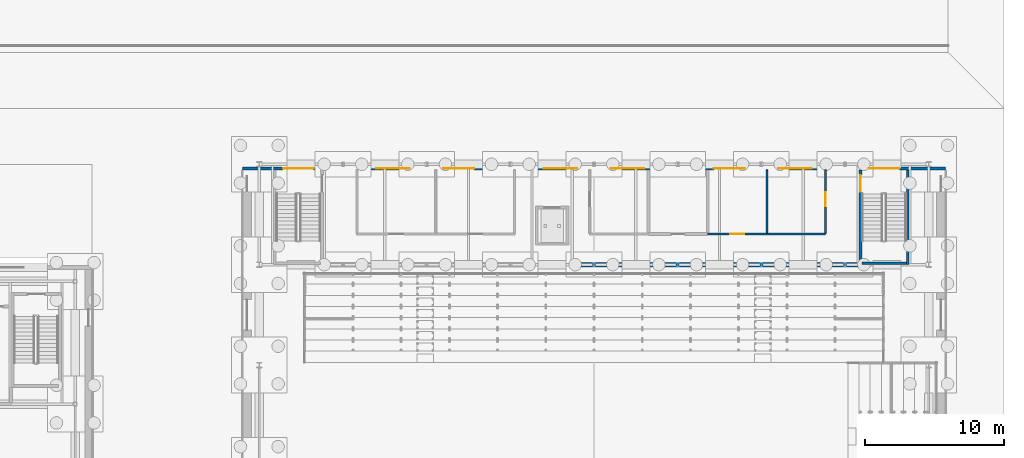
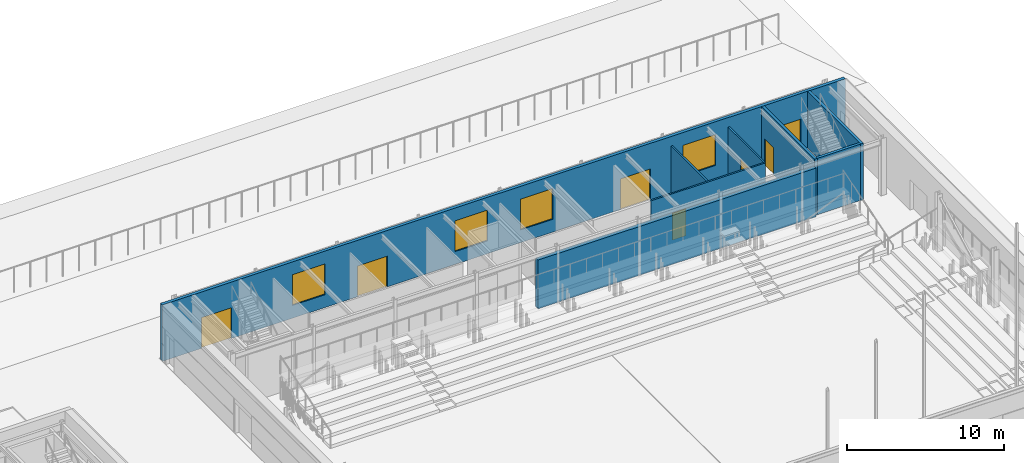
# One storey, part 90 of 139: 8 walls, 7 doors, 4 windows, 11 openings.
"""IFC4 building model written with IfcOpenShell, lengths in metres."""

from ifc_helpers import new_model, si_unit, direction, frame, frame_2d, origin, place, context, subcontext, project, spatial, rectangle, extrude, material, layer, layer_set, type_object, element, fill, save


model = new_model("IFC4")

# Units and contexts
model_context = context("Model", 3, precision=1e-05, world=origin(), true_north=direction((0.0, 1.0)))
body_context = subcontext(model_context, "Body", "Model", "MODEL_VIEW")
ifc_project = project(units=[si_unit("LENGTHUNIT", "METRE"), si_unit("AREAUNIT", "SQUARE_METRE"), si_unit("VOLUMEUNIT", "CUBIC_METRE"), si_unit("PLANEANGLEUNIT", "RADIAN"), si_unit("MASSUNIT", "GRAM", prefix="KILO")], contexts=[model_context])

# Site, building, storey
site_placement = place(None, origin())
site = spatial("IfcSite", under=ifc_project, at=site_placement, CompositionType="ELEMENT")
building_placement = place(site_placement, origin())
building = spatial("IfcBuilding", under=site, at=building_placement, Name="Verrick Yard Athletic Hall", CompositionType="ELEMENT")
storey_placement = place(building_placement, origin())
storey = spatial("IfcBuildingStorey", under=building, at=storey_placement, Name="L00", CompositionType="ELEMENT", Elevation=0.0)

# Wall, opening, door
ifc_material_1 = material(Name="Concrete 35 MPa", Category="concrete")
ifc_layer_1 = layer(ifc_material_1, 0.199951171875)
ifc_layer_set_1 = layer_set([ifc_layer_1], Name="Enclosure wall CR200")
wall_type_1 = type_object("IfcWallType", Name="Enclosure wall CR200", PredefinedType="SOLIDWALL", material=ifc_layer_set_1)
wall_1_placement = place(storey_placement, frame((164.699951171875, 100.800048828125, 0.0), z_axis=(0.0, 0.0, 1.0), x_axis=(0.0, 1.0, 0.0)))
wall_1 = element("IfcWall", 1, at=wall_1_placement, inside=storey, type_object=wall_type_1, Name="CORE-HA-E-WW-L00", PredefinedType="SOLIDWALL", context=body_context, shape_type="SweptSolid", body=[
    extrude(rectangle(XDim=6.782958984375, YDim=0.199951171875, at=frame_2d((3.3916015625, 0.0))), origin(), (0.0, 0.0, 1.0), 4.39990234375),
])
opening_1_placement = place(wall_1_placement, frame((5.22509765625, 0.0, 0.0)))
opening_1 = element("IfcOpeningElement", 2, at=opening_1_placement, cuts=wall_1, Name="Opening SD1", PredefinedType="OPENING", context=body_context, shape_type="SweptSolid", body=[
    extrude(rectangle(XDim=1.199951171875, YDim=2.10009765625, at=frame_2d((0.60009765625, 1.050048828125))), frame((0.0, 0.10986328125, 0.0), z_axis=(0.0, -1.0, 0.0), x_axis=(1.0, 0.0, 0.0)), (0.0, 0.0, 1.0), 0.219970703125),
])
ifc_material_2 = material(Name="Hollow metal door leaf")
door_type_1 = type_object("IfcDoorType", Name="Core door SD1 1200x2100", OperationType="NOTDEFINED", PredefinedType="DOOR", material=ifc_material_2)
door_1_placement = place(opening_1_placement, origin())
door_1 = element("IfcDoor", 3, at=door_1_placement, inside=storey, type_object=door_type_1, Name="CORE-HA-E-WW-L00-DSD1-10662", OperationType="SINGLE_SWING_RIGHT", OverallHeight=2.10009765625, OverallWidth=1.199951171875, PredefinedType="DOOR", context=body_context, shape_type="SweptSolid", body=[
    extrude(rectangle(XDim=1.199951171875, YDim=2.10009765625, at=frame_2d((0.60009765625, 1.050048828125))), frame((0.0, 0.02490234375, 0.0), z_axis=(0.0, -1.0, 0.0), x_axis=(1.0, 0.0, 0.0)), (0.0, 0.0, 1.0), 0.050048828125),
])
fill(opening_1, door_1)

# Walls
wall_2_placement = place(storey_placement, frame((168.10009765625, 100.800048828125, 0.0), z_axis=(0.0, 0.0, 1.0), x_axis=(0.0, 1.0, 0.0)))
element("IfcWall", 4, at=wall_2_placement, inside=storey, type_object=wall_type_1, Name="CORE-HA-E-WE-L00", PredefinedType="SOLIDWALL", context=body_context, shape_type="SweptSolid", body=[
    extrude(rectangle(XDim=6.782958984375, YDim=0.199951171875, at=frame_2d((3.3916015625, 0.0))), origin(), (0.0, 0.0, 1.0), 4.39990234375),
])
wall_3_placement = place(storey_placement, frame((164.800048828125, 100.89990234375, 0.0), z_axis=(0.0, 0.0, 1.0), x_axis=(1.0, 0.0, 0.0)))
element("IfcWall", 5, at=wall_3_placement, inside=storey, type_object=wall_type_1, Name="CORE-HA-E-WS-L00", PredefinedType="SOLIDWALL", context=body_context, shape_type="SweptSolid", body=[
    extrude(rectangle(XDim=3.199951171875, YDim=0.199951171875, at=frame_2d((1.60009765625, 0.0))), origin(), (0.0, 0.0, 1.0), 4.39990234375),
])

# Wall, openings, doors, windows
ifc_material_3 = material(Name="Tyndall-stone-look precast cladding", Category="masonry")
ifc_layer_2 = layer(ifc_material_3, 0.0625, Name="Tyndall-stone-look precast cladding")
ifc_material_4 = material(Name="Mineral wool insulation")
ifc_layer_3 = layer(ifc_material_4, 0.0625, Name="Mineral wool insulation")
ifc_layer_4 = layer(ifc_material_1, 0.25, Name="Concrete 35 MPa")
ifc_layer_set_2 = layer_set([ifc_layer_2, ifc_layer_3, ifc_layer_4], Name="Gable base wall")
wall_type_2 = type_object("IfcWallType", Name="Gable base wall", PredefinedType="SOLIDWALL", material=ifc_layer_set_2)
wall_4_placement = place(storey_placement, frame((120.39990234375, 107.69873046875, 0.0), z_axis=(0.0, 0.0, 1.0), x_axis=(1.0, 0.0, 0.0)))
wall_4 = element("IfcWall", 6, at=wall_4_placement, inside=storey, type_object=wall_type_2, Name="ENVB-HA-N-L00", PredefinedType="SOLIDWALL", context=body_context, shape_type="SweptSolid", body=[
    extrude(rectangle(XDim=50.400146484375, YDim=0.234375, at=frame_2d((25.2001953125, 0.0))), origin(), (0.0, 0.0, 1.0), 4.39990234375),
])
opening_2_placement = place(wall_4_placement, frame((9.60009765625, 0.0, 1.0)))
opening_2 = element("IfcOpeningElement", 7, at=opening_2_placement, cuts=wall_4, Name="Opening W25", PredefinedType="OPENING", context=body_context, shape_type="SweptSolid", body=[
    extrude(rectangle(XDim=2.39990234375, YDim=2.39990234375, at=frame_2d((1.199951171875, 1.199951171875))), frame((0.0, 0.127197265625, 0.0), z_axis=(0.0, -1.0, 0.0), x_axis=(1.0, 0.0, 0.0)), (0.0, 0.0, 1.0), 0.25439453125),
])
opening_3_placement = place(wall_4_placement, frame((21.60009765625, 0.0, 1.0)))
opening_3 = element("IfcOpeningElement", 8, at=opening_3_placement, cuts=wall_4, Name="Opening W25", PredefinedType="OPENING", context=body_context, shape_type="SweptSolid", body=[
    extrude(rectangle(XDim=2.39990234375, YDim=2.39990234375, at=frame_2d((1.199951171875, 1.199951171875))), frame((0.0, 0.127197265625, 0.0), z_axis=(0.0, -1.0, 0.0), x_axis=(1.0, 0.0, 0.0)), (0.0, 0.0, 1.0), 0.25439453125),
])
opening_4_placement = place(wall_4_placement, frame((26.39990234375, 0.0, 1.0)))
opening_4 = element("IfcOpeningElement", 9, at=opening_4_placement, cuts=wall_4, Name="Opening W25", PredefinedType="OPENING", context=body_context, shape_type="SweptSolid", body=[
    extrude(rectangle(XDim=2.39990234375, YDim=2.39990234375, at=frame_2d((1.199951171875, 1.199951171875))), frame((0.0, 0.127197265625, 0.0), z_axis=(0.0, -1.0, 0.0), x_axis=(1.0, 0.0, 0.0)), (0.0, 0.0, 1.0), 0.25439453125),
])
opening_5_placement = place(wall_4_placement, frame((38.39990234375, 0.0, 1.0)))
opening_5 = element("IfcOpeningElement", 10, at=opening_5_placement, cuts=wall_4, Name="Opening W25", PredefinedType="OPENING", context=body_context, shape_type="SweptSolid", body=[
    extrude(rectangle(XDim=2.39990234375, YDim=2.39990234375, at=frame_2d((1.199951171875, 1.199951171875))), frame((0.0, 0.127197265625, 0.0), z_axis=(0.0, -1.0, 0.0), x_axis=(1.0, 0.0, 0.0)), (0.0, 0.0, 1.0), 0.25439453125),
])
opening_6_placement = place(wall_4_placement, frame((14.39990234375, 0.0, 0.0)))
opening_6 = element("IfcOpeningElement", 11, at=opening_6_placement, cuts=wall_4, Name="Opening ED23", PredefinedType="OPENING", context=body_context, shape_type="SweptSolid", body=[
    extrude(rectangle(XDim=2.199951171875, YDim=2.39990234375, at=frame_2d((1.10009765625, 1.199951171875))), frame((0.0, 0.127197265625, 0.0), z_axis=(0.0, -1.0, 0.0), x_axis=(1.0, 0.0, 0.0)), (0.0, 0.0, 1.0), 0.25439453125),
])
opening_7_placement = place(wall_4_placement, frame((33.800048828125, 0.0, 0.0)))
opening_7 = element("IfcOpeningElement", 12, at=opening_7_placement, cuts=wall_4, Name="Opening ED23", PredefinedType="OPENING", context=body_context, shape_type="SweptSolid", body=[
    extrude(rectangle(XDim=2.199951171875, YDim=2.39990234375, at=frame_2d((1.10009765625, 1.199951171875))), frame((0.0, 0.127197265625, 0.0), z_axis=(0.0, -1.0, 0.0), x_axis=(1.0, 0.0, 0.0)), (0.0, 0.0, 1.0), 0.25439453125),
])
opening_8_placement = place(wall_4_placement, frame((2.89990234375, 0.0, 0.0)))
opening_8 = element("IfcOpeningElement", 13, at=opening_8_placement, cuts=wall_4, Name="Opening ED23", PredefinedType="OPENING", context=body_context, shape_type="SweptSolid", body=[
    extrude(rectangle(XDim=2.199951171875, YDim=2.39990234375, at=frame_2d((1.10009765625, 1.199951171875))), frame((0.0, 0.127197265625, 0.0), z_axis=(0.0, -1.0, 0.0), x_axis=(1.0, 0.0, 0.0)), (0.0, 0.0, 1.0), 0.25439453125),
])
opening_9_placement = place(wall_4_placement, frame((44.89990234375, 0.0, 0.0)))
opening_9 = element("IfcOpeningElement", 14, at=opening_9_placement, cuts=wall_4, Name="Opening ED23", PredefinedType="OPENING", context=body_context, shape_type="SweptSolid", body=[
    extrude(rectangle(XDim=2.199951171875, YDim=2.39990234375, at=frame_2d((1.10009765625, 1.199951171875))), frame((0.0, 0.127197265625, 0.0), z_axis=(0.0, -1.0, 0.0), x_axis=(1.0, 0.0, 0.0)), (0.0, 0.0, 1.0), 0.25439453125),
])
ifc_material_5 = material(Name="Powder-coated aluminium door leaf", Category="aluminium")
door_type_2 = type_object("IfcDoorType", Name="Exterior double door 2200", OperationType="NOTDEFINED", PredefinedType="DOOR", material=ifc_material_5)
door_2_placement = place(opening_6_placement, origin())
door_2 = element("IfcDoor", 15, at=door_2_placement, inside=storey, type_object=door_type_2, Name="Hall exit door AN1", OperationType="DOUBLE_DOOR_SINGLE_SWING", OverallHeight=2.39990234375, OverallWidth=2.199951171875, PredefinedType="DOOR", context=body_context, shape_type="SweptSolid", body=[
    extrude(rectangle(XDim=2.199951171875, YDim=2.39990234375, at=frame_2d((1.10009765625, 1.199951171875))), frame((0.0, 0.02490234375, 0.0), z_axis=(0.0, -1.0, 0.0), x_axis=(1.0, 0.0, 0.0)), (0.0, 0.0, 1.0), 0.050048828125),
])
fill(opening_6, door_2)
door_3_placement = place(opening_7_placement, origin())
door_3 = element("IfcDoor", 16, at=door_3_placement, inside=storey, type_object=door_type_2, Name="Hall exit door AN2", OperationType="DOUBLE_DOOR_SINGLE_SWING", OverallHeight=2.39990234375, OverallWidth=2.199951171875, PredefinedType="DOOR", context=body_context, shape_type="SweptSolid", body=[
    extrude(rectangle(XDim=2.199951171875, YDim=2.39990234375, at=frame_2d((1.10009765625, 1.199951171875))), frame((0.0, 0.02490234375, 0.0), z_axis=(0.0, -1.0, 0.0), x_axis=(1.0, 0.0, 0.0)), (0.0, 0.0, 1.0), 0.050048828125),
])
fill(opening_7, door_3)
door_4_placement = place(opening_8_placement, origin())
door_4 = element("IfcDoor", 17, at=door_4_placement, inside=storey, type_object=door_type_2, Name="Band stair north exit door AW", OperationType="DOUBLE_DOOR_SINGLE_SWING", OverallHeight=2.39990234375, OverallWidth=2.199951171875, PredefinedType="DOOR", context=body_context, shape_type="SweptSolid", body=[
    extrude(rectangle(XDim=2.199951171875, YDim=2.39990234375, at=frame_2d((1.10009765625, 1.199951171875))), frame((0.0, 0.02490234375, 0.0), z_axis=(0.0, -1.0, 0.0), x_axis=(1.0, 0.0, 0.0)), (0.0, 0.0, 1.0), 0.050048828125),
])
fill(opening_8, door_4)
door_5_placement = place(opening_9_placement, origin())
door_5 = element("IfcDoor", 18, at=door_5_placement, inside=storey, type_object=door_type_2, Name="Band stair north exit door AE", OperationType="DOUBLE_DOOR_SINGLE_SWING", OverallHeight=2.39990234375, OverallWidth=2.199951171875, PredefinedType="DOOR", context=body_context, shape_type="SweptSolid", body=[
    extrude(rectangle(XDim=2.199951171875, YDim=2.39990234375, at=frame_2d((1.10009765625, 1.199951171875))), frame((0.0, 0.02490234375, 0.0), z_axis=(0.0, -1.0, 0.0), x_axis=(1.0, 0.0, 0.0)), (0.0, 0.0, 1.0), 0.050048828125),
])
fill(opening_9, door_5)
ifc_material_6 = material(Name="Anodised aluminium frame with insulated glazing", Category="aluminium")
window_type = type_object("IfcWindowType", Name="Hall window 2400x2400", PartitioningType="NOTDEFINED", PredefinedType="WINDOW", material=ifc_material_6)
window_1_placement = place(opening_2_placement, origin())
window_1 = element("IfcWindow", 19, at=window_1_placement, inside=storey, type_object=window_type, Name="ENVB-HA-N-L00-W2", OverallHeight=2.39990234375, OverallWidth=2.39990234375, PartitioningType="SINGLE_PANEL", PredefinedType="WINDOW", context=body_context, shape_type="SweptSolid", body=[
    extrude(rectangle(XDim=2.39990234375, YDim=2.39990234375, at=frame_2d((1.199951171875, 1.199951171875))), frame((0.0, 0.030029296875, 0.0), z_axis=(0.0, -1.0, 0.0), x_axis=(1.0, 0.0, 0.0)), (0.0, 0.0, 1.0), 0.06005859375),
])
fill(opening_2, window_1)
window_2_placement = place(opening_3_placement, origin())
window_2 = element("IfcWindow", 20, at=window_2_placement, inside=storey, type_object=window_type, Name="ENVB-HA-N-L00-W3", OverallHeight=2.39990234375, OverallWidth=2.39990234375, PartitioningType="SINGLE_PANEL", PredefinedType="WINDOW", context=body_context, shape_type="SweptSolid", body=[
    extrude(rectangle(XDim=2.39990234375, YDim=2.39990234375, at=frame_2d((1.199951171875, 1.199951171875))), frame((0.0, 0.030029296875, 0.0), z_axis=(0.0, -1.0, 0.0), x_axis=(1.0, 0.0, 0.0)), (0.0, 0.0, 1.0), 0.06005859375),
])
fill(opening_3, window_2)
window_3_placement = place(opening_4_placement, origin())
window_3 = element("IfcWindow", 21, at=window_3_placement, inside=storey, type_object=window_type, Name="ENVB-HA-N-L00-W4", OverallHeight=2.39990234375, OverallWidth=2.39990234375, PartitioningType="SINGLE_PANEL", PredefinedType="WINDOW", context=body_context, shape_type="SweptSolid", body=[
    extrude(rectangle(XDim=2.39990234375, YDim=2.39990234375, at=frame_2d((1.199951171875, 1.199951171875))), frame((0.0, 0.030029296875, 0.0), z_axis=(0.0, -1.0, 0.0), x_axis=(1.0, 0.0, 0.0)), (0.0, 0.0, 1.0), 0.06005859375),
])
fill(opening_4, window_3)
window_4_placement = place(opening_5_placement, origin())
window_4 = element("IfcWindow", 22, at=window_4_placement, inside=storey, type_object=window_type, Name="ENVB-HA-N-L00-W5", OverallHeight=2.39990234375, OverallWidth=2.39990234375, PartitioningType="SINGLE_PANEL", PredefinedType="WINDOW", context=body_context, shape_type="SweptSolid", body=[
    extrude(rectangle(XDim=2.39990234375, YDim=2.39990234375, at=frame_2d((1.199951171875, 1.199951171875))), frame((0.0, 0.030029296875, 0.0), z_axis=(0.0, -1.0, 0.0), x_axis=(1.0, 0.0, 0.0)), (0.0, 0.0, 1.0), 0.06005859375),
])
fill(opening_5, window_4)

# Wall, opening, door
ifc_material_7 = material(Name="Gypsum plasterboard on light-gauge studs")
ifc_layer_5 = layer(ifc_material_7, 0.125)
ifc_layer_set_3 = layer_set([ifc_layer_5], Name="PW2 Stud partition 125")
wall_type_3 = type_object("IfcWallType", Name="PW2 Stud partition 125", PredefinedType="PARTITIONING", material=ifc_layer_set_3)
wall_5_placement = place(storey_placement, frame((153.75, 103.0, 0.0), z_axis=(0.0, 0.0, 1.0), x_axis=(1.0, 0.0, 0.0)))
wall_5 = element("IfcWall", 23, at=wall_5_placement, inside=storey, type_object=wall_type_3, Name="Partition PW2", PredefinedType="PARTITIONING", context=body_context, shape_type="SweptSolid", body=[
    extrude(rectangle(XDim=8.449951171875, YDim=0.125, at=frame_2d((4.22509765625, 0.0))), origin(), (0.0, 0.0, 1.0), 3.64990234375),
])
opening_10_placement = place(wall_5_placement, frame((1.625, 0.0, 0.0)))
opening_10 = element("IfcOpeningElement", 24, at=opening_10_placement, cuts=wall_5, Name="Opening D1", PredefinedType="OPENING", context=body_context, shape_type="SweptSolid", body=[
    extrude(rectangle(XDim=1.0, YDim=2.10009765625, at=frame_2d((0.5, 1.050048828125))), frame((0.0, 0.072509765625, 0.0), z_axis=(0.0, -1.0, 0.0), x_axis=(1.0, 0.0, 0.0)), (0.0, 0.0, 1.0), 0.14501953125),
])
ifc_material_8 = material(Name="Timber door leaf in steel frame", Category="steel")
door_type_3 = type_object("IfcDoorType", Name="D1 Single door 1000 x 2100", OperationType="NOTDEFINED", PredefinedType="DOOR", material=ifc_material_8)
door_6_placement = place(opening_10_placement, origin())
door_6 = element("IfcDoor", 25, at=door_6_placement, inside=storey, type_object=door_type_3, Name="D1 Team Officials Room A", OperationType="SINGLE_SWING_LEFT", OverallHeight=2.10009765625, OverallWidth=1.0, PredefinedType="DOOR", context=body_context, shape_type="SweptSolid", body=[
    extrude(rectangle(XDim=1.0, YDim=2.10009765625, at=frame_2d((0.5, 1.050048828125))), frame((0.0, 0.02490234375, 0.0), z_axis=(0.0, -1.0, 0.0), x_axis=(1.0, 0.0, 0.0)), (0.0, 0.0, 1.0), 0.050048828125),
])
fill(opening_10, door_6)

# Wall
wall_6_placement = place(storey_placement, frame((158.0, 103.0625, 0.0), z_axis=(0.0, 0.0, 1.0), x_axis=(0.0, 1.0, 0.0)))
element("IfcWall", 26, at=wall_6_placement, inside=storey, type_object=wall_type_3, Name="Partition PW2", PredefinedType="PARTITIONING", context=body_context, shape_type="SweptSolid", body=[
    extrude(rectangle(XDim=4.529052734375, YDim=0.125, at=frame_2d((2.2646484375, 0.0))), origin(), (0.0, 0.0, 1.0), 3.64990234375),
])

# Wall, opening, door
wall_7_placement = place(storey_placement, frame((162.199951171875, 103.0625, 0.0), z_axis=(0.0, 0.0, 1.0), x_axis=(0.0, 1.0, 0.0)))
wall_7 = element("IfcWall", 27, at=wall_7_placement, inside=storey, type_object=wall_type_3, Name="Partition PW2", PredefinedType="PARTITIONING", context=body_context, shape_type="SweptSolid", body=[
    extrude(rectangle(XDim=4.529052734375, YDim=0.125, at=frame_2d((2.2646484375, 0.0))), origin(), (0.0, 0.0, 1.0), 3.64990234375),
])
opening_11_placement = place(wall_7_placement, frame((1.93798828125, 0.0, 0.0)))
opening_11 = element("IfcOpeningElement", 28, at=opening_11_placement, cuts=wall_7, Name="Opening D1", PredefinedType="OPENING", context=body_context, shape_type="SweptSolid", body=[
    extrude(rectangle(XDim=1.0, YDim=2.10009765625, at=frame_2d((0.5, 1.050048828125))), frame((0.0, 0.072509765625, 0.0), z_axis=(0.0, -1.0, 0.0), x_axis=(1.0, 0.0, 0.0)), (0.0, 0.0, 1.0), 0.14501953125),
])
door_7_placement = place(opening_11_placement, origin())
door_7 = element("IfcDoor", 29, at=door_7_placement, inside=storey, type_object=door_type_3, Name="D1 Scorers Room A", OperationType="SINGLE_SWING_LEFT", OverallHeight=2.10009765625, OverallWidth=1.0, PredefinedType="DOOR", context=body_context, shape_type="SweptSolid", body=[
    extrude(rectangle(XDim=1.0, YDim=2.10009765625, at=frame_2d((0.5, 1.050048828125))), frame((0.0, 0.02490234375, 0.0), z_axis=(0.0, -1.0, 0.0), x_axis=(1.0, 0.0, 0.0)), (0.0, 0.0, 1.0), 0.050048828125),
])
fill(opening_11, door_7)

# Wall
ifc_material_9 = material(Name="Concrete masonry block 15 MPa", Category="masonry")
ifc_layer_6 = layer(ifc_material_9, 0.300048828125)
ifc_layer_set_4 = layer_set([ifc_layer_6], Name="PW5 Hall wall 300")
wall_type_4 = type_object("IfcWallType", Name="PW5 Hall wall 300", PredefinedType="PARTITIONING", material=ifc_layer_set_4)
wall_8_placement = place(storey_placement, frame((144.10009765625, 100.800048828125, 0.0), z_axis=(0.0, 0.0, 1.0), x_axis=(1.0, 0.0, 0.0)))
element("IfcWall", 30, at=wall_8_placement, inside=storey, type_object=wall_type_4, Name="Partition PW5", PredefinedType="PARTITIONING", context=body_context, shape_type="SweptSolid", body=[
    extrude(rectangle(XDim=20.5, YDim=0.300048828125, at=frame_2d((10.25, 0.0))), origin(), (0.0, 0.0, 1.0), 3.800048828125),
])

save(model, "model.ifc")
